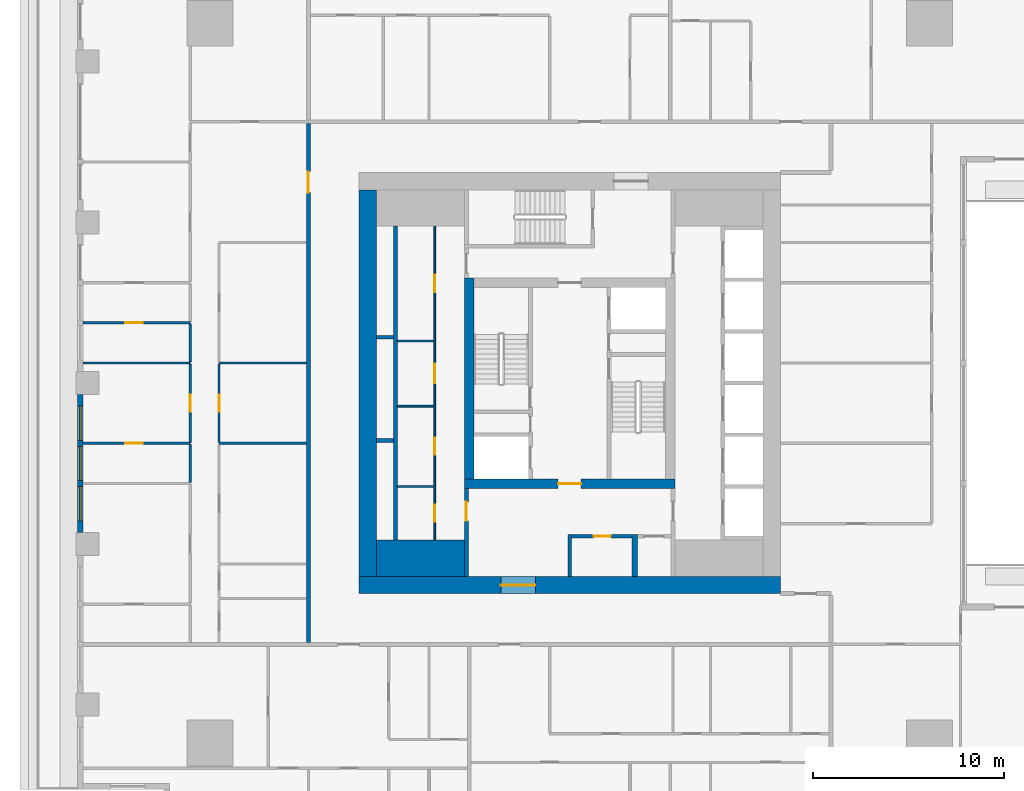
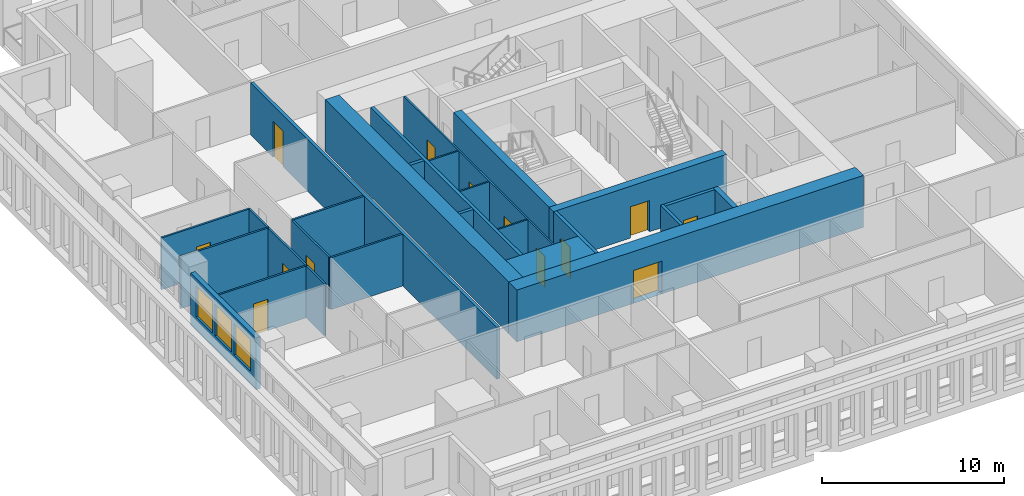
# One storey, part 3 of 15: 27 walls, 13 doors, 3 windows, 16 openings.
"""IFC4 building model written with IfcOpenShell, lengths in metres."""

from ifc_helpers import new_model, si_unit, direction, frame, frame_2d, origin, place, context, subcontext, project, spatial, rectangle, extrude, material, layer, layer_set, type_object, element, fill, save


model = new_model("IFC4")

# Units and contexts
model_context = context("Model", 3, precision=1e-05, world=origin(), true_north=direction((0.0, 1.0)))
body_context = subcontext(model_context, "Body", "Model", "MODEL_VIEW")
ifc_project = project(units=[si_unit("LENGTHUNIT", "METRE"), si_unit("AREAUNIT", "SQUARE_METRE"), si_unit("VOLUMEUNIT", "CUBIC_METRE"), si_unit("PLANEANGLEUNIT", "RADIAN"), si_unit("MASSUNIT", "GRAM", prefix="KILO")], contexts=[model_context])

# Site, building, storey
site_placement = place(None, origin())
site = spatial("IfcSite", under=ifc_project, at=site_placement, CompositionType="ELEMENT")
building_placement = place(site_placement, origin())
building = spatial("IfcBuilding", under=site, at=building_placement, Name="Khepri Terraces", CompositionType="ELEMENT")
storey_placement = place(building_placement, frame((0.0, 0.0, 219.60009765625)))
storey = spatial("IfcBuildingStorey", under=building, at=storey_placement, Name="L52", CompositionType="ELEMENT", Elevation=219.60009765625)

# Walls
ifc_material_1 = material(Name="Concrete C50/60", Category="concrete")
ifc_layer_1 = layer(ifc_material_1, 1.89990234375, Name="Concrete C50/60", Category="concrete")
ifc_layer_set_1 = layer_set([ifc_layer_1], Name="Concrete C50/60")
wall_type_1 = type_object("IfcWallType", Name="Core wall 1900 C50/60", PredefinedType="SHEAR", material=ifc_layer_set_1)
wall_1_placement = place(storey_placement, frame((-10.10009765625, -9.14990234375, 0.0), z_axis=(0.0, 0.0, 1.0), x_axis=(1.0, 0.0, 0.0)))
element("IfcWall", 1, at=wall_1_placement, inside=storey, type_object=wall_type_1, Name="Core wall PR01 L52", PredefinedType="SHEAR", context=body_context, shape_type="SweptSolid", body=[
    extrude(rectangle(XDim=4.60009765625, YDim=1.89990234375, at=frame_2d((2.300048828125, 0.0))), origin(), (0.0, 0.0, 1.0), 3.47998046875),
])
ifc_layer_2 = layer(ifc_material_1, 0.199951171875, Name="Concrete C50/60", Category="concrete")
ifc_layer_set_2 = layer_set([ifc_layer_2], Name="Concrete C50/60")
wall_type_2 = type_object("IfcWallType", Name="Core wall 200 C50/60", PredefinedType="SHEAR", material=ifc_layer_set_2)
wall_2_placement = place(storey_placement, frame((-9.10009765625, -8.199951171875, 0.0), z_axis=(0.0, 0.0, 1.0), x_axis=(0.0, 1.0, 0.0)))
element("IfcWall", 2, at=wall_2_placement, inside=storey, type_object=wall_type_2, Name="Core wall SH01 L52", PredefinedType="SHEAR", context=body_context, shape_type="SweptSolid", body=[
    extrude(rectangle(XDim=16.39990234375, YDim=0.199951171875, at=frame_2d((8.199951171875, 0.0))), origin(), (0.0, 0.0, 1.0), 3.47998046875),
])
for number, where, z_axis, x_axis, name in (
    (3, (-10.10009765625, -3.0, 0.0), (0.0, 0.0, 1.0), (1.0, 0.0, 0.0), "Core wall SH06 L52"),
    (4, (-10.10009765625, 2.39990234375, 0.0), (0.0, 0.0, 1.0), (1.0, 0.0, 0.0), "Core wall SH11 L52"),
):
    element("IfcWall", number, at=place(storey_placement, frame(where, z_axis=z_axis, x_axis=x_axis)), inside=storey, type_object=wall_type_2, Name=name, PredefinedType="SHEAR", context=body_context, shape_type="SweptSolid", body=[
        extrude(rectangle(XDim=0.900146484375, YDim=0.199951171875, at=frame_2d((0.4501953125, 0.0))), origin(), (0.0, 0.0, 1.0), 3.47998046875),
    ])

# Wall, opening, door
ifc_layer_3 = layer(ifc_material_1, 0.5, Name="Concrete C50/60", Category="concrete")
ifc_layer_set_3 = layer_set([ifc_layer_3], Name="Concrete C50/60")
wall_type_3 = type_object("IfcWallType", Name="Core wall 500 C50/60", PredefinedType="SHEAR", material=ifc_layer_set_3)
wall_3_placement = place(storey_placement, frame((-5.5, -5.25, 0.0), z_axis=(0.0, 0.0, 1.0), x_axis=(1.0, 0.0, 0.0)))
wall_3 = element("IfcWall", 5, at=wall_3_placement, inside=storey, type_object=wall_type_3, Name="Core wall BX01 L52", PredefinedType="SHEAR", context=body_context, shape_type="SweptSolid", body=[
    extrude(rectangle(XDim=11.0, YDim=0.5, at=frame_2d((5.5, 0.0))), origin(), (0.0, 0.0, 1.0), 3.47998046875),
])
opening_1_placement = place(wall_3_placement, frame((4.89990234375, 0.0, 0.0)))
opening_1 = element("IfcOpeningElement", 6, at=opening_1_placement, cuts=wall_3, Name="Opening L52-C14", PredefinedType="OPENING", context=body_context, shape_type="SweptSolid", body=[
    extrude(rectangle(XDim=1.199951171875, YDim=2.10009765625, at=frame_2d((0.60009765625, 1.050048828125))), frame((0.0, 0.260009765625, 0.0), z_axis=(0.0, -1.0, 0.0), x_axis=(1.0, 0.0, 0.0)), (0.0, 0.0, 1.0), 0.52001953125),
])
ifc_material_2 = material(Name="Painted steel", Category="steel")
door_type_1 = type_object("IfcDoorType", Name="DR-CORE-FF-LOBBY-1200", OperationType="NOTDEFINED", PredefinedType="DOOR", material=ifc_material_2)
door_1_placement = place(opening_1_placement, origin())
door_1 = element("IfcDoor", 7, at=door_1_placement, inside=storey, type_object=door_type_1, Name="Firefighting lobby door L52-C14", OperationType="SINGLE_SWING_RIGHT", OverallHeight=2.10009765625, OverallWidth=1.199951171875, PredefinedType="DOOR", context=body_context, shape_type="SweptSolid", body=[
    extrude(rectangle(XDim=1.199951171875, YDim=2.10009765625, at=frame_2d((0.60009765625, 1.050048828125))), frame((0.0, 0.02490234375, 0.0), z_axis=(0.0, -1.0, 0.0), x_axis=(1.0, 0.0, 0.0)), (0.0, 0.0, 1.0), 0.050048828125),
])
fill(opening_1, door_1)

# Wall
wall_4_placement = place(storey_placement, frame((-5.25, -5.0, 0.0), z_axis=(0.0, 0.0, 1.0), x_axis=(0.0, 1.0, 0.0)))
element("IfcWall", 8, at=wall_4_placement, inside=storey, type_object=wall_type_3, Name="Core wall BX02 L52", PredefinedType="SHEAR", context=body_context, shape_type="SweptSolid", body=[
    extrude(rectangle(XDim=10.5, YDim=0.5, at=frame_2d((5.25, 0.0))), origin(), (0.0, 0.0, 1.0), 3.47998046875),
])

# Wall, opening, door
ifc_layer_4 = layer(ifc_material_1, 0.89990234375, Name="Concrete C50/60", Category="concrete")
ifc_layer_set_4 = layer_set([ifc_layer_4], Name="Concrete C50/60")
wall_type_4 = type_object("IfcWallType", Name="Core wall 900 C50/60", PredefinedType="SHEAR", material=ifc_layer_set_4)
wall_5_placement = place(storey_placement, frame((-11.0, -10.550048828125, 0.0), z_axis=(0.0, 0.0, 1.0), x_axis=(1.0, 0.0, 0.0)))
wall_5 = element("IfcWall", 9, at=wall_5_placement, inside=storey, type_object=wall_type_4, Name="Core wall OW-S L52", PredefinedType="SHEAR", context=body_context, shape_type="SweptSolid", body=[
    extrude(rectangle(XDim=22.0, YDim=0.89990234375, at=frame_2d((11.0, 0.0))), origin(), (0.0, 0.0, 1.0), 3.47998046875),
])
opening_2_placement = place(wall_5_placement, frame((7.39990234375, 0.0, 0.0)))
opening_2 = element("IfcOpeningElement", 10, at=opening_2_placement, cuts=wall_5, Name="Opening L52-C21", PredefinedType="OPENING", context=body_context, shape_type="SweptSolid", body=[
    extrude(rectangle(XDim=1.800048828125, YDim=2.199951171875, at=frame_2d((0.89990234375, 1.10009765625))), frame((0.0, 0.4599609375, 0.0), z_axis=(0.0, -1.0, 0.0), x_axis=(1.0, 0.0, 0.0)), (0.0, 0.0, 1.0), 0.919921875),
])
door_type_2 = type_object("IfcDoorType", Name="DR-CORE-ENTRANCE-1800", OperationType="NOTDEFINED", PredefinedType="DOOR", material=ifc_material_2)
door_2_placement = place(opening_2_placement, frame((1.800048828125, 0.0, 0.0), z_axis=(0.0, 0.0, 1.0), x_axis=(-1.0, 0.0, 0.0)))
door_2 = element("IfcDoor", 11, at=door_2_placement, inside=storey, type_object=door_type_2, Name="Core entrance door pair L52-C21", OperationType="DOUBLE_DOOR_SINGLE_SWING", OverallHeight=2.199951171875, OverallWidth=1.800048828125, PredefinedType="DOOR", context=body_context, shape_type="SweptSolid", body=[
    extrude(rectangle(XDim=1.800048828125, YDim=2.199951171875, at=frame_2d((0.89990234375, 1.10009765625))), frame((0.0, 0.02490234375, 0.0), z_axis=(0.0, -1.0, 0.0), x_axis=(1.0, 0.0, 0.0)), (0.0, 0.0, 1.0), 0.050048828125),
])
fill(opening_2, door_2)

# Wall
wall_6_placement = place(storey_placement, frame((-10.550048828125, -10.10009765625, 0.0), z_axis=(0.0, 0.0, 1.0), x_axis=(0.0, 1.0, 0.0)))
element("IfcWall", 12, at=wall_6_placement, inside=storey, type_object=wall_type_4, Name="Core wall OW-W L52", PredefinedType="SHEAR", context=body_context, shape_type="SweptSolid", body=[
    extrude(rectangle(XDim=20.2001953125, YDim=0.89990234375, at=frame_2d((10.10009765625, 0.0))), origin(), (0.0, 0.0, 1.0), 3.47998046875),
])

# Wall, openings, doors
ifc_material_3 = material(Name="Fire-rated gypsum board partition")
ifc_layer_5 = layer(ifc_material_3, 0.10009765625, Name="Fire-rated gypsum board partition")
ifc_layer_set_5 = layer_set([ifc_layer_5], Name="Fire-rated gypsum board partition")
wall_type_5 = type_object("IfcWallType", Name="WL-CORE-PART-100", PredefinedType="PARTITIONING", material=ifc_layer_set_5)
wall_7_placement = place(storey_placement, frame((-7.050048828125, -8.199951171875, 0.0), z_axis=(0.0, 0.0, 1.0), x_axis=(0.0, 1.0, 0.0)))
wall_7 = element("IfcWall", 13, at=wall_7_placement, inside=storey, type_object=wall_type_5, Name="Core partition PT05 L52", PredefinedType="PARTITIONING", context=body_context, shape_type="SweptSolid", body=[
    extrude(rectangle(XDim=16.39990234375, YDim=0.10009765625, at=frame_2d((8.199951171875, 0.0))), origin(), (0.0, 0.0, 1.0), 3.47998046875),
])
opening_3_placement = place(wall_7_placement, frame((0.949951171875, 0.0, 0.0)))
opening_3 = element("IfcOpeningElement", 14, at=opening_3_placement, cuts=wall_7, Name="Opening L52-C24", PredefinedType="OPENING", context=body_context, shape_type="SweptSolid", body=[
    extrude(rectangle(XDim=0.89990234375, YDim=2.10009765625, at=frame_2d((0.449951171875, 1.050048828125))), frame((0.0, 0.06005859375, 0.0), z_axis=(0.0, -1.0, 0.0), x_axis=(1.0, 0.0, 0.0)), (0.0, 0.0, 1.0), 0.1201171875),
])
opening_4_placement = place(wall_7_placement, frame((4.449951171875, 0.0, 0.0)))
opening_4 = element("IfcOpeningElement", 15, at=opening_4_placement, cuts=wall_7, Name="Opening L52-C25", PredefinedType="OPENING", context=body_context, shape_type="SweptSolid", body=[
    extrude(rectangle(XDim=0.89990234375, YDim=2.10009765625, at=frame_2d((0.449951171875, 1.050048828125))), frame((0.0, 0.06005859375, 0.0), z_axis=(0.0, -1.0, 0.0), x_axis=(1.0, 0.0, 0.0)), (0.0, 0.0, 1.0), 0.1201171875),
])
opening_5_placement = place(wall_7_placement, frame((8.199951171875, 0.0, 0.0)))
opening_5 = element("IfcOpeningElement", 16, at=opening_5_placement, cuts=wall_7, Name="Opening L52-C26", PredefinedType="OPENING", context=body_context, shape_type="SweptSolid", body=[
    extrude(rectangle(XDim=1.0, YDim=2.10009765625, at=frame_2d((0.5, 1.050048828125))), frame((0.0, 0.06005859375, 0.0), z_axis=(0.0, -1.0, 0.0), x_axis=(1.0, 0.0, 0.0)), (0.0, 0.0, 1.0), 0.1201171875),
])
opening_6_placement = place(wall_7_placement, frame((12.949951171875, 0.0, 0.0)))
opening_6 = element("IfcOpeningElement", 17, at=opening_6_placement, cuts=wall_7, Name="Opening L52-C27", PredefinedType="OPENING", context=body_context, shape_type="SweptSolid", body=[
    extrude(rectangle(XDim=0.89990234375, YDim=2.10009765625, at=frame_2d((0.449951171875, 1.050048828125))), frame((0.0, 0.06005859375, 0.0), z_axis=(0.0, -1.0, 0.0), x_axis=(1.0, 0.0, 0.0)), (0.0, 0.0, 1.0), 0.1201171875),
])
door_type_3 = type_object("IfcDoorType", Name="DR-CORE-SERVICE-900", OperationType="NOTDEFINED", PredefinedType="DOOR", material=ifc_material_2)
door_3_placement = place(opening_3_placement, origin())
door_3 = element("IfcDoor", 18, at=door_3_placement, inside=storey, type_object=door_type_3, Name="Service room door L52-C24", OperationType="SINGLE_SWING_LEFT", OverallHeight=2.10009765625, OverallWidth=0.89990234375, PredefinedType="DOOR", context=body_context, shape_type="SweptSolid", body=[
    extrude(rectangle(XDim=0.89990234375, YDim=2.10009765625, at=frame_2d((0.449951171875, 1.050048828125))), frame((0.0, 0.02490234375, 0.0), z_axis=(0.0, -1.0, 0.0), x_axis=(1.0, 0.0, 0.0)), (0.0, 0.0, 1.0), 0.050048828125),
])
fill(opening_3, door_3)
door_4_placement = place(opening_4_placement, origin())
door_4 = element("IfcDoor", 19, at=door_4_placement, inside=storey, type_object=door_type_3, Name="Service room door L52-C25", OperationType="SINGLE_SWING_LEFT", OverallHeight=2.10009765625, OverallWidth=0.89990234375, PredefinedType="DOOR", context=body_context, shape_type="SweptSolid", body=[
    extrude(rectangle(XDim=0.89990234375, YDim=2.10009765625, at=frame_2d((0.449951171875, 1.050048828125))), frame((0.0, 0.02490234375, 0.0), z_axis=(0.0, -1.0, 0.0), x_axis=(1.0, 0.0, 0.0)), (0.0, 0.0, 1.0), 0.050048828125),
])
fill(opening_4, door_4)
door_5_placement = place(opening_6_placement, origin())
door_5 = element("IfcDoor", 20, at=door_5_placement, inside=storey, type_object=door_type_3, Name="Service room door L52-C27", OperationType="SINGLE_SWING_RIGHT", OverallHeight=2.10009765625, OverallWidth=0.89990234375, PredefinedType="DOOR", context=body_context, shape_type="SweptSolid", body=[
    extrude(rectangle(XDim=0.89990234375, YDim=2.10009765625, at=frame_2d((0.449951171875, 1.050048828125))), frame((0.0, 0.02490234375, 0.0), z_axis=(0.0, -1.0, 0.0), x_axis=(1.0, 0.0, 0.0)), (0.0, 0.0, 1.0), 0.050048828125),
])
fill(opening_6, door_5)
ifc_material_4 = material(Name="Timber veneer", Category="wood")
door_type_4 = type_object("IfcDoorType", Name="DR-CORE-WC-1000", OperationType="NOTDEFINED", PredefinedType="DOOR", material=ifc_material_4)
door_6_placement = place(opening_5_placement, origin())
door_6 = element("IfcDoor", 21, at=door_6_placement, inside=storey, type_object=door_type_4, Name="WC door L52-C26", OperationType="SINGLE_SWING_RIGHT", OverallHeight=2.10009765625, OverallWidth=1.0, PredefinedType="DOOR", context=body_context, shape_type="SweptSolid", body=[
    extrude(rectangle(XDim=1.0, YDim=2.10009765625, at=frame_2d((0.5, 1.050048828125))), frame((0.0, 0.02490234375, 0.0), z_axis=(0.0, -1.0, 0.0), x_axis=(1.0, 0.0, 0.0)), (0.0, 0.0, 1.0), 0.050048828125),
])
fill(opening_5, door_6)

# Walls
for number, where, z_axis, x_axis, name in (
    (22, (-9.0, -5.39990234375, 0.0), (0.0, 0.0, 1.0), (1.0, 0.0, 0.0), "Core partition PT08 L52"),
    (23, (-9.0, -1.199951171875, 0.0), (0.0, 0.0, 1.0), (1.0, 0.0, 0.0), "Core partition PT09 L52"),
    (24, (-9.0, 2.199951171875, 0.0), (0.0, 0.0, 1.0), (1.0, 0.0, 0.0), "Core partition PT10 L52"),
):
    element("IfcWall", number, at=place(storey_placement, frame(where, z_axis=z_axis, x_axis=x_axis)), inside=storey, type_object=wall_type_5, Name=name, PredefinedType="PARTITIONING", context=body_context, shape_type="SweptSolid", body=[
        extrude(rectangle(XDim=1.89990234375, YDim=0.10009765625, at=frame_2d((0.949951171875, 0.0))), origin(), (0.0, 0.0, 1.0), 3.47998046875),
    ])

# Wall, opening, door
ifc_layer_6 = layer(ifc_material_3, 0.199951171875, Name="Fire-rated gypsum board partition")
ifc_layer_set_6 = layer_set([ifc_layer_6], Name="Fire-rated gypsum board partition")
wall_type_6 = type_object("IfcWallType", Name="WL-CORE-PART-200", PredefinedType="PARTITIONING", material=ifc_layer_set_6)
wall_8_placement = place(storey_placement, frame((-5.39990234375, -10.10009765625, 0.0), z_axis=(0.0, 0.0, 1.0), x_axis=(0.0, 1.0, 0.0)))
wall_8 = element("IfcWall", 25, at=wall_8_placement, inside=storey, type_object=wall_type_6, Name="Core partition PT01 L52", PredefinedType="PARTITIONING", context=body_context, shape_type="SweptSolid", body=[
    extrude(rectangle(XDim=4.60009765625, YDim=0.199951171875, at=frame_2d((2.300048828125, 0.0))), origin(), (0.0, 0.0, 1.0), 3.47998046875),
])
opening_7_placement = place(wall_8_placement, frame((2.89990234375, 0.0, 0.0)))
opening_7 = element("IfcOpeningElement", 26, at=opening_7_placement, cuts=wall_8, Name="Opening L52-C18", PredefinedType="OPENING", context=body_context, shape_type="SweptSolid", body=[
    extrude(rectangle(XDim=1.0, YDim=2.10009765625, at=frame_2d((0.5, 1.050048828125))), frame((0.0, 0.10986328125, 0.0), z_axis=(0.0, -1.0, 0.0), x_axis=(1.0, 0.0, 0.0)), (0.0, 0.0, 1.0), 0.219970703125),
])
door_type_5 = type_object("IfcDoorType", Name="DR-CORE-LOBBY-1000", OperationType="NOTDEFINED", PredefinedType="DOOR", material=ifc_material_2)
door_7_placement = place(opening_7_placement, frame((1.0, 0.0, 0.0), z_axis=(0.0, 0.0, 1.0), x_axis=(-1.0, 0.0, 0.0)))
door_7 = element("IfcDoor", 27, at=door_7_placement, inside=storey, type_object=door_type_5, Name="Lobby door L52-C18", OperationType="SINGLE_SWING_LEFT", OverallHeight=2.10009765625, OverallWidth=1.0, PredefinedType="DOOR", context=body_context, shape_type="SweptSolid", body=[
    extrude(rectangle(XDim=1.0, YDim=2.10009765625, at=frame_2d((0.5, 1.050048828125))), frame((0.0, 0.02490234375, 0.0), z_axis=(0.0, -1.0, 0.0), x_axis=(1.0, 0.0, 0.0)), (0.0, 0.0, 1.0), 0.050048828125),
])
fill(opening_7, door_7)

# Wall
wall_9_placement = place(storey_placement, frame((0.0, -10.10009765625, 0.0), z_axis=(0.0, 0.0, 1.0), x_axis=(0.0, 1.0, 0.0)))
element("IfcWall", 28, at=wall_9_placement, inside=storey, type_object=wall_type_6, Name="Core partition PT02 L52", PredefinedType="PARTITIONING", context=body_context, shape_type="SweptSolid", body=[
    extrude(rectangle(XDim=2.2001953125, YDim=0.199951171875, at=frame_2d((1.10009765625, 0.0))), origin(), (0.0, 0.0, 1.0), 3.47998046875),
])

# Wall, opening, door
wall_10_placement = place(storey_placement, frame((0.10009765625, -8.0, 0.0), z_axis=(0.0, 0.0, 1.0), x_axis=(1.0, 0.0, 0.0)))
wall_10 = element("IfcWall", 29, at=wall_10_placement, inside=storey, type_object=wall_type_6, Name="Core partition PT06 L52", PredefinedType="PARTITIONING", context=body_context, shape_type="SweptSolid", body=[
    extrude(rectangle(XDim=3.14990234375, YDim=0.199951171875, at=frame_2d((1.574951171875, 0.0))), origin(), (0.0, 0.0, 1.0), 3.47998046875),
])
opening_8_placement = place(wall_10_placement, frame((1.14990234375, 0.0, 0.0)))
opening_8 = element("IfcOpeningElement", 30, at=opening_8_placement, cuts=wall_10, Name="Opening L52-C22", PredefinedType="OPENING", context=body_context, shape_type="SweptSolid", body=[
    extrude(rectangle(XDim=0.89990234375, YDim=2.10009765625, at=frame_2d((0.449951171875, 1.050048828125))), frame((0.0, 0.10986328125, 0.0), z_axis=(0.0, -1.0, 0.0), x_axis=(1.0, 0.0, 0.0)), (0.0, 0.0, 1.0), 0.219970703125),
])
door_8_placement = place(opening_8_placement, frame((0.89990234375, 0.0, 0.0), z_axis=(0.0, 0.0, 1.0), x_axis=(-1.0, 0.0, 0.0)))
door_8 = element("IfcDoor", 31, at=door_8_placement, inside=storey, type_object=door_type_3, Name="Service room door L52-C22", OperationType="SINGLE_SWING_LEFT", OverallHeight=2.10009765625, OverallWidth=0.89990234375, PredefinedType="DOOR", context=body_context, shape_type="SweptSolid", body=[
    extrude(rectangle(XDim=0.89990234375, YDim=2.10009765625, at=frame_2d((0.449951171875, 1.050048828125))), frame((0.0, 0.02490234375, 0.0), z_axis=(0.0, -1.0, 0.0), x_axis=(1.0, 0.0, 0.0)), (0.0, 0.0, 1.0), 0.050048828125),
])
fill(opening_8, door_8)

# Wall
ifc_layer_7 = layer(ifc_material_3, 0.300048828125, Name="Fire-rated gypsum board partition")
ifc_layer_set_7 = layer_set([ifc_layer_7], Name="Fire-rated gypsum board partition")
wall_type_7 = type_object("IfcWallType", Name="WL-CORE-PART-300", PredefinedType="PARTITIONING", material=ifc_layer_set_7)
wall_11_placement = place(storey_placement, frame((3.39990234375, -10.10009765625, 0.0), z_axis=(0.0, 0.0, 1.0), x_axis=(0.0, 1.0, 0.0)))
element("IfcWall", 32, at=wall_11_placement, inside=storey, type_object=wall_type_7, Name="Core partition PT03 L52", PredefinedType="PARTITIONING", context=body_context, shape_type="SweptSolid", body=[
    extrude(rectangle(XDim=2.2001953125, YDim=0.300048828125, at=frame_2d((1.10009765625, 0.0))), origin(), (0.0, 0.0, 1.0), 3.47998046875),
])

# Wall, opening, door
ifc_material_5 = material(Name="Fire-rated gypsum plasterboard partition, mineral wool")
ifc_layer_8 = layer(ifc_material_5, 0.199951171875, Name="Fire-rated gypsum plasterboard partition, mineral wool")
ifc_layer_set_8 = layer_set([ifc_layer_8], Name="Fire-rated gypsum plasterboard partition, mineral wool")
wall_type_8 = type_object("IfcWallType", Name="WL-CORR-200", PredefinedType="PARTITIONING", material=ifc_layer_set_8)
wall_12_placement = place(storey_placement, frame((-13.64990234375, -13.550048828125, 0.0), z_axis=(0.0, 0.0, 1.0), x_axis=(0.0, 1.0, 0.0)))
wall_12 = element("IfcWall", 33, at=wall_12_placement, inside=storey, type_object=wall_type_8, Name="Partition P-027 L52", PredefinedType="PARTITIONING", context=body_context, shape_type="SweptSolid", body=[
    extrude(rectangle(XDim=27.10009765625, YDim=0.199951171875, at=frame_2d((13.550048828125, 0.0))), origin(), (0.0, 0.0, 1.0), 3.47998046875),
])
opening_9_placement = place(wall_12_placement, frame((23.5, 0.0, 0.0)))
opening_9 = element("IfcOpeningElement", 34, at=opening_9_placement, cuts=wall_12, Name="Opening D1", PredefinedType="OPENING", context=body_context, shape_type="SweptSolid", body=[
    extrude(rectangle(XDim=1.10009765625, YDim=2.39990234375, at=frame_2d((0.550048828125, 1.199951171875))), frame((0.0, 0.10986328125, 0.0), z_axis=(0.0, -1.0, 0.0), x_axis=(1.0, 0.0, 0.0)), (0.0, 0.0, 1.0), 0.219970703125),
])
ifc_material_6 = material(Name="Solid-core timber door leaf, flat entrance door", Category="wood")
door_type_6 = type_object("IfcDoorType", Name="DR-ENT-1100", OperationType="NOTDEFINED", PredefinedType="DOOR", material=ifc_material_6)
door_9_placement = place(opening_9_placement, origin())
door_9 = element("IfcDoor", 35, at=door_9_placement, inside=storey, type_object=door_type_6, Name="Flat D1 entrance door", OperationType="SINGLE_SWING_RIGHT", OverallHeight=2.39990234375, OverallWidth=1.10009765625, PredefinedType="DOOR", context=body_context, shape_type="SweptSolid", body=[
    extrude(rectangle(XDim=1.10009765625, YDim=2.39990234375, at=frame_2d((0.550048828125, 1.199951171875))), frame((0.0, 0.02490234375, 0.0), z_axis=(0.0, -1.0, 0.0), x_axis=(1.0, 0.0, 0.0)), (0.0, 0.0, 1.0), 0.050048828125),
])
fill(opening_9, door_9)

# Wall, openings, windows
ifc_material_7 = material(Name="Precast concrete C50/60 warm stone", Category="masonry")
ifc_layer_9 = layer(ifc_material_7, 0.300048828125, Name="Precast concrete C50/60 warm stone", Category="masonry")
ifc_layer_set_9 = layer_set([ifc_layer_9], Name="Precast concrete C50/60 warm stone")
wall_type_9 = type_object("IfcWallType", Name="WL-EXT-PRECAST-300", PredefinedType="STANDARD", material=ifc_layer_set_9)
wall_13_placement = place(storey_placement, frame((-25.570068359375, -0.60009765625, 0.0), z_axis=(0.0, 0.0, 1.0), x_axis=(0.0, -1.0, 0.0)))
wall_13 = element("IfcWall", 36, at=wall_13_placement, inside=storey, type_object=wall_type_9, Name="External wall L52 W", PredefinedType="STANDARD", context=body_context, shape_type="SweptSolid", body=[
    extrude(rectangle(XDim=7.199951171875, YDim=0.300048828125, at=frame_2d((3.60009765625, 0.0))), origin(), (0.0, 0.0, 1.0), 3.47998046875),
])
opening_10_placement = place(wall_13_placement, frame((0.60009765625, 0.0, 0.89990234375)))
opening_10 = element("IfcOpeningElement", 37, at=opening_10_placement, cuts=wall_13, Name="Opening W1", PredefinedType="OPENING", context=body_context, shape_type="SweptSolid", body=[
    extrude(rectangle(XDim=1.800048828125, YDim=2.10009765625, at=frame_2d((0.89990234375, 1.050048828125))), frame((0.0, 0.16015625, 0.0), z_axis=(0.0, -1.0, 0.0), x_axis=(1.0, 0.0, 0.0)), (0.0, 0.0, 1.0), 0.320068359375),
])
opening_11_placement = place(wall_13_placement, frame((2.699951171875, 0.0, 0.89990234375)))
opening_11 = element("IfcOpeningElement", 38, at=opening_11_placement, cuts=wall_13, Name="Opening W1", PredefinedType="OPENING", context=body_context, shape_type="SweptSolid", body=[
    extrude(rectangle(XDim=1.800048828125, YDim=2.10009765625, at=frame_2d((0.89990234375, 1.050048828125))), frame((0.0, 0.16015625, 0.0), z_axis=(0.0, -1.0, 0.0), x_axis=(1.0, 0.0, 0.0)), (0.0, 0.0, 1.0), 0.320068359375),
])
opening_12_placement = place(wall_13_placement, frame((4.800048828125, 0.0, 0.89990234375)))
opening_12 = element("IfcOpeningElement", 39, at=opening_12_placement, cuts=wall_13, Name="Opening W1", PredefinedType="OPENING", context=body_context, shape_type="SweptSolid", body=[
    extrude(rectangle(XDim=1.800048828125, YDim=2.10009765625, at=frame_2d((0.89990234375, 1.050048828125))), frame((0.0, 0.16015625, 0.0), z_axis=(0.0, -1.0, 0.0), x_axis=(1.0, 0.0, 0.0)), (0.0, 0.0, 1.0), 0.320068359375),
])
ifc_material_8 = material(Name="Clear glass", Category="glass")
window_type = type_object("IfcWindowType", Name="WIN-RES-1800x2100", PartitioningType="SINGLE_PANEL", PredefinedType="WINDOW", material=ifc_material_8)
window_1_placement = place(opening_10_placement, origin())
window_1 = element("IfcWindow", 40, at=window_1_placement, inside=storey, type_object=window_type, Name="Window L52 W", OverallHeight=2.10009765625, OverallWidth=1.800048828125, PartitioningType="SINGLE_PANEL", PredefinedType="WINDOW", context=body_context, shape_type="SweptSolid", body=[
    extrude(rectangle(XDim=1.800048828125, YDim=2.10009765625, at=frame_2d((0.89990234375, 1.050048828125))), frame((0.0, 0.030029296875, 0.0), z_axis=(0.0, -1.0, 0.0), x_axis=(1.0, 0.0, 0.0)), (0.0, 0.0, 1.0), 0.06005859375),
])
fill(opening_10, window_1)
window_2_placement = place(opening_11_placement, origin())
window_2 = element("IfcWindow", 41, at=window_2_placement, inside=storey, type_object=window_type, Name="Window L52 W", OverallHeight=2.10009765625, OverallWidth=1.800048828125, PartitioningType="SINGLE_PANEL", PredefinedType="WINDOW", context=body_context, shape_type="SweptSolid", body=[
    extrude(rectangle(XDim=1.800048828125, YDim=2.10009765625, at=frame_2d((0.89990234375, 1.050048828125))), frame((0.0, 0.030029296875, 0.0), z_axis=(0.0, -1.0, 0.0), x_axis=(1.0, 0.0, 0.0)), (0.0, 0.0, 1.0), 0.06005859375),
])
fill(opening_11, window_2)
window_3_placement = place(opening_12_placement, origin())
window_3 = element("IfcWindow", 42, at=window_3_placement, inside=storey, type_object=window_type, Name="Window L52 W", OverallHeight=2.10009765625, OverallWidth=1.800048828125, PartitioningType="SINGLE_PANEL", PredefinedType="WINDOW", context=body_context, shape_type="SweptSolid", body=[
    extrude(rectangle(XDim=1.800048828125, YDim=2.10009765625, at=frame_2d((0.89990234375, 1.050048828125))), frame((0.0, 0.030029296875, 0.0), z_axis=(0.0, -1.0, 0.0), x_axis=(1.0, 0.0, 0.0)), (0.0, 0.0, 1.0), 0.06005859375),
])
fill(opening_12, window_3)

# Wall
ifc_material_9 = material(Name="Gypsum plasterboard partition")
ifc_layer_10 = layer(ifc_material_9, 0.1201171875, Name="Gypsum plasterboard partition")
ifc_layer_set_10 = layer_set([ifc_layer_10], Name="Gypsum plasterboard partition")
wall_type_10 = type_object("IfcWallType", Name="WL-PART-120", PredefinedType="PARTITIONING", material=ifc_layer_set_10)
wall_14_placement = place(storey_placement, frame((-19.820068359375, -5.18994140625, 0.0), z_axis=(0.0, 0.0, 1.0), x_axis=(0.0, 1.0, 0.0)))
element("IfcWall", 43, at=wall_14_placement, inside=storey, type_object=wall_type_10, Name="Partition P-040 L52", PredefinedType="PARTITIONING", context=body_context, shape_type="SweptSolid", body=[
    extrude(rectangle(XDim=1.97998046875, YDim=0.1201171875, at=frame_2d((0.989990234375, 0.0))), origin(), (0.0, 0.0, 1.0), 3.47998046875),
])

# Wall, opening, door
wall_15_placement = place(storey_placement, frame((-25.419921875, -3.14990234375, 0.0), z_axis=(0.0, 0.0, 1.0), x_axis=(1.0, 0.0, 0.0)))
wall_15 = element("IfcWall", 44, at=wall_15_placement, inside=storey, type_object=wall_type_10, Name="Partition P-041 L52", PredefinedType="PARTITIONING", context=body_context, shape_type="SweptSolid", body=[
    extrude(rectangle(XDim=5.599853515625, YDim=0.1201171875, at=frame_2d((2.7998046875, 0.0))), origin(), (0.0, 0.0, 1.0), 3.47998046875),
])
opening_13_placement = place(wall_15_placement, frame((2.199951171875, 0.0, 0.0)))
opening_13 = element("IfcOpeningElement", 45, at=opening_13_placement, cuts=wall_15, Name="Opening D4", PredefinedType="OPENING", context=body_context, shape_type="SweptSolid", body=[
    extrude(rectangle(XDim=0.89990234375, YDim=2.10009765625, at=frame_2d((0.449951171875, 1.050048828125))), frame((0.0, 0.070068359375, 0.0), z_axis=(0.0, -1.0, 0.0), x_axis=(1.0, 0.0, 0.0)), (0.0, 0.0, 1.0), 0.14013671875),
])
ifc_material_10 = material(Name="Timber door leaf, moisture resistant", Category="wood")
door_type_7 = type_object("IfcDoorType", Name="DR-WET-900", OperationType="NOTDEFINED", PredefinedType="DOOR", material=ifc_material_10)
door_10_placement = place(opening_13_placement, frame((0.89990234375, 0.0, 0.0), z_axis=(0.0, 0.0, 1.0), x_axis=(-1.0, 0.0, 0.0)))
door_10 = element("IfcDoor", 46, at=door_10_placement, inside=storey, type_object=door_type_7, Name="Door Bathroom", OperationType="SINGLE_SWING_RIGHT", OverallHeight=2.10009765625, OverallWidth=0.89990234375, PredefinedType="DOOR", context=body_context, shape_type="SweptSolid", body=[
    extrude(rectangle(XDim=0.89990234375, YDim=2.10009765625, at=frame_2d((0.449951171875, 1.050048828125))), frame((0.0, 0.02490234375, 0.0), z_axis=(0.0, -1.0, 0.0), x_axis=(1.0, 0.0, 0.0)), (0.0, 0.0, 1.0), 0.050048828125),
])
fill(opening_13, door_10)

# Wall
wall_16_placement = place(storey_placement, frame((-18.320068359375, -3.14990234375, 0.0), z_axis=(0.0, 0.0, 1.0), x_axis=(1.0, 0.0, 0.0)))
element("IfcWall", 47, at=wall_16_placement, inside=storey, type_object=wall_type_10, Name="Partition P-042 L52", PredefinedType="PARTITIONING", context=body_context, shape_type="SweptSolid", body=[
    extrude(rectangle(XDim=4.570068359375, YDim=0.1201171875, at=frame_2d((2.28515625, 0.0))), origin(), (0.0, 0.0, 1.0), 3.47998046875),
])

# Wall, opening, door
wall_17_placement = place(storey_placement, frame((-19.820068359375, -3.090087890625, 0.0), z_axis=(0.0, 0.0, 1.0), x_axis=(0.0, 1.0, 0.0)))
wall_17 = element("IfcWall", 48, at=wall_17_placement, inside=storey, type_object=wall_type_10, Name="Partition P-044 L52", PredefinedType="PARTITIONING", context=body_context, shape_type="SweptSolid", body=[
    extrude(rectangle(XDim=4.080078125, YDim=0.1201171875, at=frame_2d((2.0400390625, 0.0))), origin(), (0.0, 0.0, 1.0), 3.47998046875),
])
opening_14_placement = place(wall_17_placement, frame((1.590087890625, 0.0, 0.0)))
opening_14 = element("IfcOpeningElement", 49, at=opening_14_placement, cuts=wall_17, Name="Opening D3", PredefinedType="OPENING", context=body_context, shape_type="SweptSolid", body=[
    extrude(rectangle(XDim=0.89990234375, YDim=2.10009765625, at=frame_2d((0.449951171875, 1.050048828125))), frame((0.0, 0.070068359375, 0.0), z_axis=(0.0, -1.0, 0.0), x_axis=(1.0, 0.0, 0.0)), (0.0, 0.0, 1.0), 0.14013671875),
])
ifc_material_11 = material(Name="Timber door leaf", Category="wood")
door_type_8 = type_object("IfcDoorType", Name="DR-INT-900", OperationType="NOTDEFINED", PredefinedType="DOOR", material=ifc_material_11)
door_11_placement = place(opening_14_placement, origin())
door_11 = element("IfcDoor", 50, at=door_11_placement, inside=storey, type_object=door_type_8, Name="Door Bedroom", OperationType="SINGLE_SWING_RIGHT", OverallHeight=2.10009765625, OverallWidth=0.89990234375, PredefinedType="DOOR", context=body_context, shape_type="SweptSolid", body=[
    extrude(rectangle(XDim=0.89990234375, YDim=2.10009765625, at=frame_2d((0.449951171875, 1.050048828125))), frame((0.0, 0.02490234375, 0.0), z_axis=(0.0, -1.0, 0.0), x_axis=(1.0, 0.0, 0.0)), (0.0, 0.0, 1.0), 0.050048828125),
])
fill(opening_14, door_11)

wall_18_placement = place(storey_placement, frame((-18.320068359375, -3.090087890625, 0.0), z_axis=(0.0, 0.0, 1.0), x_axis=(0.0, 1.0, 0.0)))
wall_18 = element("IfcWall", 51, at=wall_18_placement, inside=storey, type_object=wall_type_10, Name="Partition P-045 L52", PredefinedType="PARTITIONING", context=body_context, shape_type="SweptSolid", body=[
    extrude(rectangle(XDim=4.080078125, YDim=0.1201171875, at=frame_2d((2.0400390625, 0.0))), origin(), (0.0, 0.0, 1.0), 3.47998046875),
])
opening_15_placement = place(wall_18_placement, frame((1.590087890625, 0.0, 0.0)))
opening_15 = element("IfcOpeningElement", 52, at=opening_15_placement, cuts=wall_18, Name="Opening D3", PredefinedType="OPENING", context=body_context, shape_type="SweptSolid", body=[
    extrude(rectangle(XDim=0.89990234375, YDim=2.10009765625, at=frame_2d((0.449951171875, 1.050048828125))), frame((0.0, 0.070068359375, 0.0), z_axis=(0.0, -1.0, 0.0), x_axis=(1.0, 0.0, 0.0)), (0.0, 0.0, 1.0), 0.14013671875),
])
door_12_placement = place(opening_15_placement, frame((0.89990234375, 0.0, 0.0), z_axis=(0.0, 0.0, 1.0), x_axis=(-1.0, 0.0, 0.0)))
door_12 = element("IfcDoor", 53, at=door_12_placement, inside=storey, type_object=door_type_8, Name="Door Service Store", OperationType="SINGLE_SWING_LEFT", OverallHeight=2.10009765625, OverallWidth=0.89990234375, PredefinedType="DOOR", context=body_context, shape_type="SweptSolid", body=[
    extrude(rectangle(XDim=0.89990234375, YDim=2.10009765625, at=frame_2d((0.449951171875, 1.050048828125))), frame((0.0, 0.02490234375, 0.0), z_axis=(0.0, -1.0, 0.0), x_axis=(1.0, 0.0, 0.0)), (0.0, 0.0, 1.0), 0.050048828125),
])
fill(opening_15, door_12)

# Walls
wall_19_placement = place(storey_placement, frame((-25.419921875, 1.050048828125, 0.0), z_axis=(0.0, 0.0, 1.0), x_axis=(1.0, 0.0, 0.0)))
element("IfcWall", 54, at=wall_19_placement, inside=storey, type_object=wall_type_10, Name="Partition P-047 L52", PredefinedType="PARTITIONING", context=body_context, shape_type="SweptSolid", body=[
    extrude(rectangle(XDim=5.599853515625, YDim=0.1201171875, at=frame_2d((2.7998046875, 0.0))), origin(), (0.0, 0.0, 1.0), 3.47998046875),
])
wall_20_placement = place(storey_placement, frame((-18.320068359375, 1.050048828125, 0.0), z_axis=(0.0, 0.0, 1.0), x_axis=(1.0, 0.0, 0.0)))
element("IfcWall", 55, at=wall_20_placement, inside=storey, type_object=wall_type_10, Name="Partition P-048 L52", PredefinedType="PARTITIONING", context=body_context, shape_type="SweptSolid", body=[
    extrude(rectangle(XDim=4.570068359375, YDim=0.1201171875, at=frame_2d((2.28515625, 0.0))), origin(), (0.0, 0.0, 1.0), 3.47998046875),
])
wall_21_placement = place(storey_placement, frame((-19.820068359375, 1.110107421875, 0.0), z_axis=(0.0, 0.0, 1.0), x_axis=(0.0, 1.0, 0.0)))
element("IfcWall", 56, at=wall_21_placement, inside=storey, type_object=wall_type_10, Name="Partition P-050 L52", PredefinedType="PARTITIONING", context=body_context, shape_type="SweptSolid", body=[
    extrude(rectangle(XDim=1.97998046875, YDim=0.1201171875, at=frame_2d((0.989990234375, 0.0))), origin(), (0.0, 0.0, 1.0), 3.47998046875),
])

# Wall, opening, door
wall_22_placement = place(storey_placement, frame((-25.419921875, 3.14990234375, 0.0), z_axis=(0.0, 0.0, 1.0), x_axis=(1.0, 0.0, 0.0)))
wall_22 = element("IfcWall", 57, at=wall_22_placement, inside=storey, type_object=wall_type_10, Name="Partition P-053 L52", PredefinedType="PARTITIONING", context=body_context, shape_type="SweptSolid", body=[
    extrude(rectangle(XDim=5.599853515625, YDim=0.1201171875, at=frame_2d((2.7998046875, 0.0))), origin(), (0.0, 0.0, 1.0), 3.47998046875),
])
opening_16_placement = place(wall_22_placement, frame((2.199951171875, 0.0, 0.0)))
opening_16 = element("IfcOpeningElement", 58, at=opening_16_placement, cuts=wall_22, Name="Opening D4", PredefinedType="OPENING", context=body_context, shape_type="SweptSolid", body=[
    extrude(rectangle(XDim=0.89990234375, YDim=2.10009765625, at=frame_2d((0.449951171875, 1.050048828125))), frame((0.0, 0.070068359375, 0.0), z_axis=(0.0, -1.0, 0.0), x_axis=(1.0, 0.0, 0.0)), (0.0, 0.0, 1.0), 0.14013671875),
])
door_13_placement = place(opening_16_placement, frame((0.89990234375, 0.0, 0.0), z_axis=(0.0, 0.0, 1.0), x_axis=(-1.0, 0.0, 0.0)))
door_13 = element("IfcDoor", 59, at=door_13_placement, inside=storey, type_object=door_type_7, Name="Door Bathroom", OperationType="SINGLE_SWING_RIGHT", OverallHeight=2.10009765625, OverallWidth=0.89990234375, PredefinedType="DOOR", context=body_context, shape_type="SweptSolid", body=[
    extrude(rectangle(XDim=0.89990234375, YDim=2.10009765625, at=frame_2d((0.449951171875, 1.050048828125))), frame((0.0, 0.02490234375, 0.0), z_axis=(0.0, -1.0, 0.0), x_axis=(1.0, 0.0, 0.0)), (0.0, 0.0, 1.0), 0.050048828125),
])
fill(opening_16, door_13)

save(model, "model.ifc")
